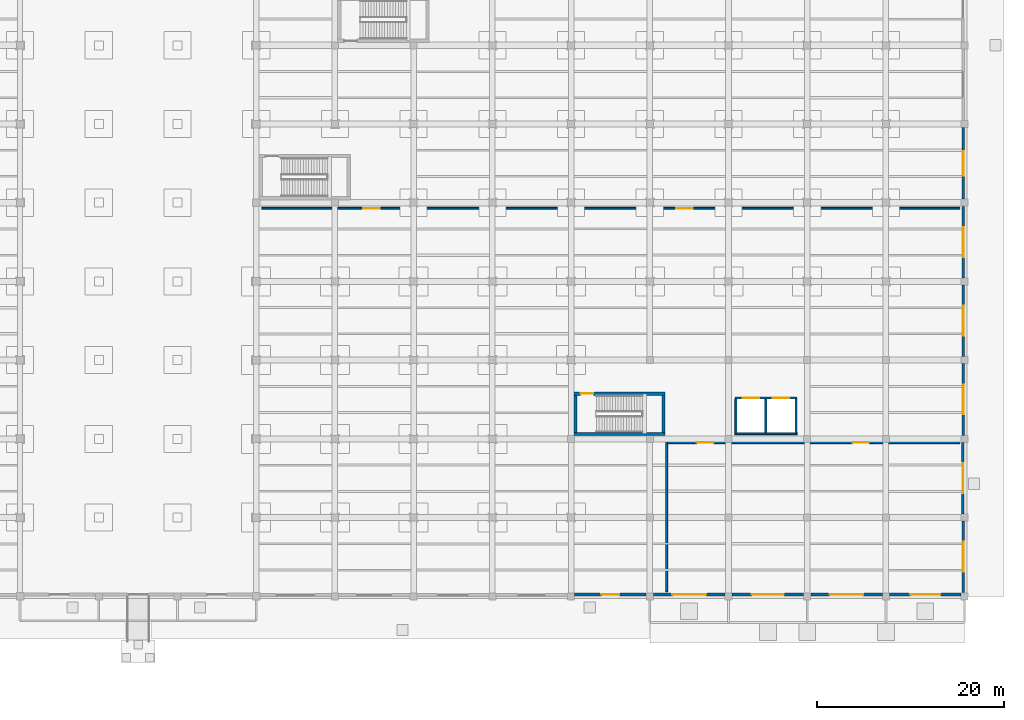
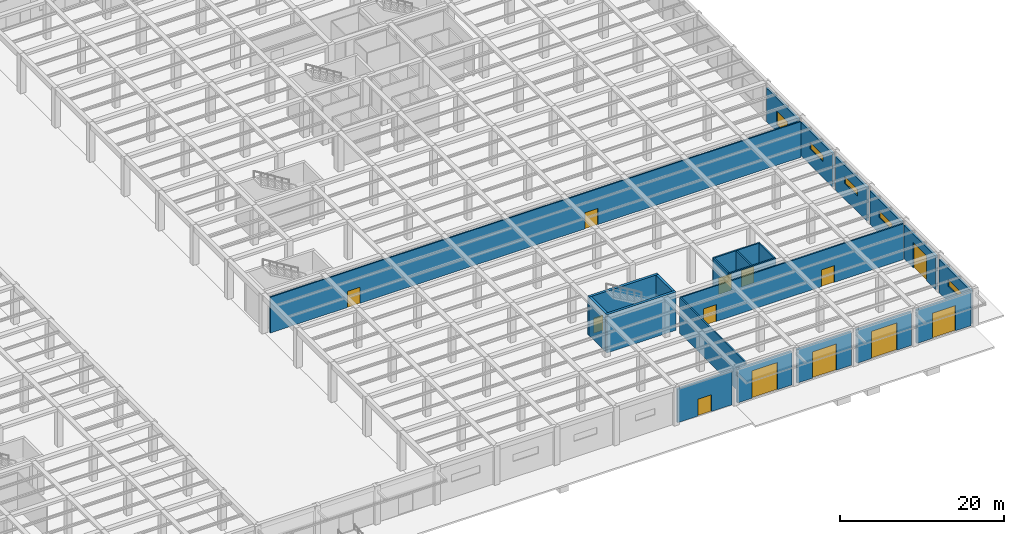
# One storey, part 29 of 43: 23 walls, 13 doors, 5 windows, 18 openings.
"""IFC4 building model written with IfcOpenShell, lengths in metres."""

from ifc_helpers import new_model, si_unit, direction, frame, frame_2d, origin, place, context, subcontext, project, spatial, rectangle, extrude, material, layer, layer_set, type_object, element, fill, save


model = new_model("IFC4")

# Units and contexts
model_context = context("Model", 3, precision=1e-05, world=origin(), true_north=direction((0.0, 1.0)))
body_context = subcontext(model_context, "Body", "Model", "MODEL_VIEW")
ifc_project = project(units=[si_unit("LENGTHUNIT", "METRE"), si_unit("AREAUNIT", "SQUARE_METRE"), si_unit("VOLUMEUNIT", "CUBIC_METRE"), si_unit("PLANEANGLEUNIT", "RADIAN"), si_unit("MASSUNIT", "GRAM", prefix="KILO")], contexts=[model_context])

# Site, building, storey
site_placement = place(None, origin())
site = spatial("IfcSite", under=ifc_project, at=site_placement, CompositionType="ELEMENT")
building_placement = place(site_placement, origin())
building = spatial("IfcBuilding", under=site, at=building_placement, Name="Almacenes y Pasaje Nevantli", CompositionType="ELEMENT")
storey_placement = place(building_placement, origin())
storey = spatial("IfcBuildingStorey", under=building, at=storey_placement, Name="L01", CompositionType="ELEMENT", Elevation=0.0)

# Wall, openings, doors
ifc_material_1 = material(Name="Insulated Double-Gypsum Fire Partition", Category="gypsum")
ifc_layer_1 = layer(ifc_material_1, 0.179931640625)
ifc_layer_set_1 = layer_set([ifc_layer_1], Name="Insulated Double-Gypsum Fire Partition")
wall_type_1 = type_object("IfcWallType", Name="WL-COMP-180", PredefinedType="PARTITIONING", material=ifc_layer_set_1)
wall_1_placement = place(storey_placement, frame((93.0, 41.39990234375, 0.0), z_axis=(0.0, 0.0, 1.0), x_axis=(1.0, 0.0, 0.0)))
wall_1 = element("IfcWall", 1, at=wall_1_placement, inside=storey, type_object=wall_type_1, Name="L01 Interior Partition Wall IW-180 #49", PredefinedType="PARTITIONING", context=body_context, shape_type="SweptSolid", body=[
    extrude(rectangle(XDim=74.5, YDim=0.179931640625, at=frame_2d((37.25, 0.0))), origin(), (0.0, 0.0, 1.0), 5.320068359375),
])
opening_1_placement = place(wall_1_placement, frame((10.800048828125, 0.0, 0.0)))
opening_1 = element("IfcOpeningElement", 2, at=opening_1_placement, cuts=wall_1, Name="Opening ID-L01-023", PredefinedType="OPENING", context=body_context, shape_type="SweptSolid", body=[
    extrude(rectangle(XDim=1.800048828125, YDim=2.39990234375, at=frame_2d((0.89990234375, 1.199951171875))), frame((0.0, 0.099853515625, 0.0), z_axis=(0.0, -1.0, 0.0), x_axis=(1.0, 0.0, 0.0)), (0.0, 0.0, 1.0), 0.199951171875),
])
opening_2_placement = place(wall_1_placement, frame((44.199951171875, 0.0, 0.0)))
opening_2 = element("IfcOpeningElement", 3, at=opening_2_placement, cuts=wall_1, Name="Opening ID-L01-024", PredefinedType="OPENING", context=body_context, shape_type="SweptSolid", body=[
    extrude(rectangle(XDim=1.800048828125, YDim=2.39990234375, at=frame_2d((0.89990234375, 1.199951171875))), frame((0.0, 0.099853515625, 0.0), z_axis=(0.0, -1.0, 0.0), x_axis=(1.0, 0.0, 0.0)), (0.0, 0.0, 1.0), 0.199951171875),
])
ifc_material_2 = material(Name="Galvanized Fire-Rated Steel", Category="steel")
door_type_1 = type_object("IfcDoorType", Name="DR-FD60-1800", OperationType="DOUBLE_DOOR_SINGLE_SWING", PredefinedType="DOOR", material=ifc_material_2)
door_1_placement = place(opening_1_placement, origin())
door_1 = element("IfcDoor", 4, at=door_1_placement, inside=storey, type_object=door_type_1, Name="L01 Ground Stockroom to Retail Door 1", OperationType="DOUBLE_DOOR_SINGLE_SWING", OverallHeight=2.39990234375, OverallWidth=1.800048828125, PredefinedType="DOOR", context=body_context, shape_type="SweptSolid", body=[
    extrude(rectangle(XDim=1.800048828125, YDim=2.39990234375, at=frame_2d((0.89990234375, 1.199951171875))), frame((0.0, 0.02490234375, 0.0), z_axis=(0.0, -1.0, 0.0), x_axis=(1.0, 0.0, 0.0)), (0.0, 0.0, 1.0), 0.050048828125),
])
fill(opening_1, door_1)
door_2_placement = place(opening_2_placement, origin())
door_2 = element("IfcDoor", 5, at=door_2_placement, inside=storey, type_object=door_type_1, Name="L01 Ground Stockroom to Retail Door 2", OperationType="DOUBLE_DOOR_SINGLE_SWING", OverallHeight=2.39990234375, OverallWidth=1.800048828125, PredefinedType="DOOR", context=body_context, shape_type="SweptSolid", body=[
    extrude(rectangle(XDim=1.800048828125, YDim=2.39990234375, at=frame_2d((0.89990234375, 1.199951171875))), frame((0.0, 0.02490234375, 0.0), z_axis=(0.0, -1.0, 0.0), x_axis=(1.0, 0.0, 0.0)), (0.0, 0.0, 1.0), 0.050048828125),
])
fill(opening_2, door_2)

ifc_material_3 = material(Name="Fire-Rated Concrete Blockwork", Category="masonry")
ifc_layer_2 = layer(ifc_material_3, 0.199951171875)
ifc_layer_set_2 = layer_set([ifc_layer_2], Name="Fire-Rated Concrete Blockwork")
wall_type_2 = type_object("IfcWallType", Name="WL-COMP-200", PredefinedType="PARTITIONING", material=ifc_layer_set_2)
wall_2_placement = place(storey_placement, frame((136.199951171875, 16.39990234375, 0.0), z_axis=(0.0, 0.0, 1.0), x_axis=(1.0, 0.0, 0.0)))
wall_2 = element("IfcWall", 6, at=wall_2_placement, inside=storey, type_object=wall_type_2, Name="L01 Interior Partition Wall IW-200 #47", PredefinedType="PARTITIONING", context=body_context, shape_type="SweptSolid", body=[
    extrude(rectangle(XDim=31.300048828125, YDim=0.199951171875, at=frame_2d((15.64990234375, 0.0))), origin(), (0.0, 0.0, 1.0), 5.320068359375),
])
opening_3_placement = place(wall_2_placement, frame((3.199951171875, 0.0, 0.0)))
opening_3 = element("IfcOpeningElement", 7, at=opening_3_placement, cuts=wall_2, Name="Opening ID-L01-021", PredefinedType="OPENING", context=body_context, shape_type="SweptSolid", body=[
    extrude(rectangle(XDim=1.800048828125, YDim=2.5, at=frame_2d((0.89990234375, 1.25))), frame((0.0, 0.10986328125, 0.0), z_axis=(0.0, -1.0, 0.0), x_axis=(1.0, 0.0, 0.0)), (0.0, 0.0, 1.0), 0.219970703125),
])
opening_4_placement = place(wall_2_placement, frame((19.800048828125, 0.0, 0.0)))
opening_4 = element("IfcOpeningElement", 8, at=opening_4_placement, cuts=wall_2, Name="Opening ID-L01-022", PredefinedType="OPENING", context=body_context, shape_type="SweptSolid", body=[
    extrude(rectangle(XDim=1.800048828125, YDim=2.5, at=frame_2d((0.89990234375, 1.25))), frame((0.0, 0.10986328125, 0.0), z_axis=(0.0, -1.0, 0.0), x_axis=(1.0, 0.0, 0.0)), (0.0, 0.0, 1.0), 0.219970703125),
])
ifc_material_4 = material(Name="Galvanized Fire-Rated Steel", Category="steel")
door_type_2 = type_object("IfcDoorType", Name="DR-FD90-1800", OperationType="DOUBLE_DOOR_SINGLE_SWING", PredefinedType="DOOR", material=ifc_material_4)
door_3_placement = place(opening_3_placement, origin())
door_3 = element("IfcDoor", 9, at=door_3_placement, inside=storey, type_object=door_type_2, Name="L01 Loading Dock to Goods Marshalling Door 1", OperationType="DOUBLE_DOOR_SINGLE_SWING", OverallHeight=2.5, OverallWidth=1.800048828125, PredefinedType="DOOR", context=body_context, shape_type="SweptSolid", body=[
    extrude(rectangle(XDim=1.800048828125, YDim=2.5, at=frame_2d((0.89990234375, 1.25))), frame((0.0, 0.02490234375, 0.0), z_axis=(0.0, -1.0, 0.0), x_axis=(1.0, 0.0, 0.0)), (0.0, 0.0, 1.0), 0.050048828125),
])
fill(opening_3, door_3)
door_4_placement = place(opening_4_placement, origin())
door_4 = element("IfcDoor", 10, at=door_4_placement, inside=storey, type_object=door_type_2, Name="L01 Loading Dock to Goods Marshalling Door 2", OperationType="DOUBLE_DOOR_SINGLE_SWING", OverallHeight=2.5, OverallWidth=1.800048828125, PredefinedType="DOOR", context=body_context, shape_type="SweptSolid", body=[
    extrude(rectangle(XDim=1.800048828125, YDim=2.5, at=frame_2d((0.89990234375, 1.25))), frame((0.0, 0.02490234375, 0.0), z_axis=(0.0, -1.0, 0.0), x_axis=(1.0, 0.0, 0.0)), (0.0, 0.0, 1.0), 0.050048828125),
])
fill(opening_4, door_4)

# Walls
wall_3_placement = place(storey_placement, frame((136.199951171875, 0.5, 0.0), z_axis=(0.0, 0.0, 1.0), x_axis=(0.0, 1.0, 0.0)))
element("IfcWall", 11, at=wall_3_placement, inside=storey, type_object=wall_type_2, Name="L01 Interior Partition Wall IW-200 #48", PredefinedType="PARTITIONING", context=body_context, shape_type="SweptSolid", body=[
    extrude(rectangle(XDim=15.89990234375, YDim=0.199951171875, at=frame_2d((7.949951171875, 0.0))), origin(), (0.0, 0.0, 1.0), 5.320068359375),
])
ifc_material_5 = material(Name="Concrete C45/55", Category="concrete")
ifc_layer_3 = layer(ifc_material_5, 0.35009765625)
ifc_layer_set_3 = layer_set([ifc_layer_3], Name="Concrete C45/55")
wall_type_3 = type_object("IfcWallType", Name="WL-CORE-350", PredefinedType="SHEAR", material=ifc_layer_set_3)
wall_4_placement = place(storey_placement, frame((126.300048828125, 17.324951171875, 0.0), z_axis=(0.0, 0.0, 1.0), x_axis=(1.0, 0.0, 0.0)))
element("IfcWall", 12, at=wall_4_placement, inside=storey, type_object=wall_type_3, Name="L01 Exit Stair ST-06 South Core Shear Wall", PredefinedType="SHEAR", context=body_context, shape_type="SweptSolid", body=[
    extrude(rectangle(XDim=9.75, YDim=0.35009765625, at=frame_2d((4.875, 0.0))), origin(), (0.0, 0.0, 1.0), 5.699951171875),
])

# Wall, opening, door
wall_5_placement = place(storey_placement, frame((126.300048828125, 21.625, 0.0), z_axis=(0.0, 0.0, 1.0), x_axis=(1.0, 0.0, 0.0)))
wall_5 = element("IfcWall", 13, at=wall_5_placement, inside=storey, type_object=wall_type_3, Name="L01 Exit Stair ST-06 North Core Shear Wall", PredefinedType="SHEAR", context=body_context, shape_type="SweptSolid", body=[
    extrude(rectangle(XDim=9.75, YDim=0.35009765625, at=frame_2d((4.875, 0.0))), origin(), (0.0, 0.0, 1.0), 5.699951171875),
])
opening_5_placement = place(wall_5_placement, frame((0.719970703125, 0.0, 0.0)))
opening_5 = element("IfcOpeningElement", 14, at=opening_5_placement, cuts=wall_5, Name="Opening SD-06-L01", PredefinedType="OPENING", context=body_context, shape_type="SweptSolid", body=[
    extrude(rectangle(XDim=1.35009765625, YDim=2.25, at=frame_2d((0.675048828125, 1.125))), frame((0.0, 0.18505859375, 0.0), z_axis=(0.0, -1.0, 0.0), x_axis=(1.0, 0.0, 0.0)), (0.0, 0.0, 1.0), 0.3701171875),
])
ifc_material_6 = material(Name="Galvanized Fire-Rated Steel", Category="steel")
door_type_3 = type_object("IfcDoorType", Name="DR-STAIR-1350R", OperationType="SINGLE_SWING_RIGHT", PredefinedType="DOOR", material=ifc_material_6)
door_5_placement = place(opening_5_placement, origin())
door_5 = element("IfcDoor", 15, at=door_5_placement, inside=storey, type_object=door_type_3, Name="L01 Smokeproof Exit Stair ST-06 Fire Door", OperationType="SINGLE_SWING_RIGHT", OverallHeight=2.25, OverallWidth=1.35009765625, PredefinedType="DOOR", context=body_context, shape_type="SweptSolid", body=[
    extrude(rectangle(XDim=1.35009765625, YDim=2.25, at=frame_2d((0.675048828125, 1.125))), frame((0.0, 0.02490234375, 0.0), z_axis=(0.0, -1.0, 0.0), x_axis=(1.0, 0.0, 0.0)), (0.0, 0.0, 1.0), 0.050048828125),
])
fill(opening_5, door_5)

# Walls
for number, where, z_axis, x_axis, name in (
    (16, (126.47509765625, 17.5, 0.0), (0.0, 0.0, 1.0), (0.0, 1.0, 0.0), "L01 Exit Stair ST-06 West Core Shear Wall"),
    (17, (135.875, 17.5, 0.0), (0.0, 0.0, 1.0), (0.0, 1.0, 0.0), "L01 Exit Stair ST-06 East Core Shear Wall"),
):
    element("IfcWall", number, at=place(storey_placement, frame(where, z_axis=z_axis, x_axis=x_axis)), inside=storey, type_object=wall_type_3, Name=name, PredefinedType="SHEAR", context=body_context, shape_type="SweptSolid", body=[
        extrude(rectangle(XDim=3.949951171875, YDim=0.35009765625, at=frame_2d((1.97509765625, 0.0))), origin(), (0.0, 0.0, 1.0), 5.699951171875),
    ])

# Wall, opening, door
ifc_material_7 = material(Name="Architectural Precast Concrete C35/45 Plinth Wall", Category="concrete")
ifc_layer_4 = layer(ifc_material_7, 0.31005859375)
ifc_layer_set_4 = layer_set([ifc_layer_4], Name="Architectural Precast Concrete C35/45 Plinth Wall")
wall_type_4 = type_object("IfcWallType", Name="WL-EXT-RECINTO-310", PredefinedType="SOLIDWALL", material=ifc_layer_set_4)
wall_6_placement = place(storey_placement, frame((126.3779296875, 0.199951171875, 0.0), z_axis=(0.0, 0.0, 1.0), x_axis=(1.0, 0.0, 0.0)))
wall_6 = element("IfcWall", 18, at=wall_6_placement, inside=storey, type_object=wall_type_4, Name="L01 South Boulevard Service Exit Wall Bay 16", PredefinedType="SOLIDWALL", context=body_context, shape_type="SweptSolid", body=[
    extrude(rectangle(XDim=7.64404296875, YDim=0.31005859375, at=frame_2d((3.822021484375, 0.0))), origin(), (0.0, 0.0, 1.0), 4.97998046875),
])
opening_6_placement = place(wall_6_placement, frame((2.862060546875, 0.0, 0.0)))
opening_6 = element("IfcOpeningElement", 19, at=opening_6_placement, cuts=wall_6, Name="Opening ED-L01-025", PredefinedType="OPENING", context=body_context, shape_type="SweptSolid", body=[
    extrude(rectangle(XDim=1.919921875, YDim=2.5, at=frame_2d((0.9599609375, 1.25))), frame((0.0, 0.1650390625, 0.0), z_axis=(0.0, -1.0, 0.0), x_axis=(1.0, 0.0, 0.0)), (0.0, 0.0, 1.0), 0.330078125),
])
ifc_material_8 = material(Name="Anodized Aluminium and Safety Glass", Category="aluminium")
door_type_4 = type_object("IfcDoorType", Name="DR-EXT-DBL-1920", OperationType="DOUBLE_DOOR_SINGLE_SWING", PredefinedType="DOOR", material=ifc_material_8)
door_6_placement = place(opening_6_placement, origin())
door_6 = element("IfcDoor", 20, at=door_6_placement, inside=storey, type_object=door_type_4, Name="L01 South Pedestrian Exit Door Bay 16", OperationType="DOUBLE_DOOR_SINGLE_SWING", OverallHeight=2.5, OverallWidth=1.919921875, PredefinedType="DOOR", context=body_context, shape_type="SweptSolid", body=[
    extrude(rectangle(XDim=1.919921875, YDim=2.5, at=frame_2d((0.9599609375, 1.25))), frame((0.0, 0.02490234375, 0.0), z_axis=(0.0, -1.0, 0.0), x_axis=(1.0, 0.0, 0.0)), (0.0, 0.0, 1.0), 0.050048828125),
])
fill(opening_6, door_6)

wall_7_placement = place(storey_placement, frame((134.778076171875, 0.199951171875, 0.0), z_axis=(0.0, 0.0, 1.0), x_axis=(1.0, 0.0, 0.0)))
wall_7 = element("IfcWall", 21, at=wall_7_placement, inside=storey, type_object=wall_type_4, Name="L01 Loading Dock South Truck Bay Wall #1", PredefinedType="SOLIDWALL", context=body_context, shape_type="SweptSolid", body=[
    extrude(rectangle(XDim=7.64404296875, YDim=0.31005859375, at=frame_2d((3.822021484375, 0.0))), origin(), (0.0, 0.0, 1.0), 4.97998046875),
])
opening_7_placement = place(wall_7_placement, frame((2.02197265625, 0.0, 0.0)))
opening_7 = element("IfcOpeningElement", 22, at=opening_7_placement, cuts=wall_7, Name="Opening GD-L01-001", PredefinedType="OPENING", context=body_context, shape_type="SweptSolid", body=[
    extrude(rectangle(XDim=3.60009765625, YDim=4.050048828125, at=frame_2d((1.800048828125, 2.02490234375))), frame((0.0, 0.1650390625, 0.0), z_axis=(0.0, -1.0, 0.0), x_axis=(1.0, 0.0, 0.0)), (0.0, 0.0, 1.0), 0.330078125),
])
ifc_material_9 = material(Name="Galvanized Insulated Steel", Category="steel")
door_type_5 = type_object("IfcDoorType", Name="DR-GATE-3600", OperationType="ROLLINGUP", PredefinedType="GATE", material=ifc_material_9)
door_7_placement = place(opening_7_placement, origin())
door_7 = element("IfcDoor", 23, at=door_7_placement, inside=storey, type_object=door_type_5, Name="Loading Dock Insulated Roller Shutter GD-L01-001", OperationType="ROLLINGUP", OverallHeight=4.050048828125, OverallWidth=3.60009765625, PredefinedType="GATE", context=body_context, shape_type="SweptSolid", body=[
    extrude(rectangle(XDim=3.60009765625, YDim=4.050048828125, at=frame_2d((1.800048828125, 2.02490234375))), frame((0.0, 0.02490234375, 0.0), z_axis=(0.0, -1.0, 0.0), x_axis=(1.0, 0.0, 0.0)), (0.0, 0.0, 1.0), 0.050048828125),
])
fill(opening_7, door_7)

wall_8_placement = place(storey_placement, frame((143.177978515625, 0.199951171875, 0.0), z_axis=(0.0, 0.0, 1.0), x_axis=(1.0, 0.0, 0.0)))
wall_8 = element("IfcWall", 24, at=wall_8_placement, inside=storey, type_object=wall_type_4, Name="L01 Loading Dock South Truck Bay Wall #2", PredefinedType="SOLIDWALL", context=body_context, shape_type="SweptSolid", body=[
    extrude(rectangle(XDim=7.64404296875, YDim=0.31005859375, at=frame_2d((3.822021484375, 0.0))), origin(), (0.0, 0.0, 1.0), 4.97998046875),
])
opening_8_placement = place(wall_8_placement, frame((2.1220703125, 0.0, 0.0)))
opening_8 = element("IfcOpeningElement", 25, at=opening_8_placement, cuts=wall_8, Name="Opening GD-L01-002", PredefinedType="OPENING", context=body_context, shape_type="SweptSolid", body=[
    extrude(rectangle(XDim=3.39990234375, YDim=3.89990234375, at=frame_2d((1.699951171875, 1.949951171875))), frame((0.0, 0.1650390625, 0.0), z_axis=(0.0, -1.0, 0.0), x_axis=(1.0, 0.0, 0.0)), (0.0, 0.0, 1.0), 0.330078125),
])
ifc_material_10 = material(Name="Galvanized Insulated Steel", Category="steel")
door_type_6 = type_object("IfcDoorType", Name="DR-GATE-3400", OperationType="ROLLINGUP", PredefinedType="GATE", material=ifc_material_10)
door_8_placement = place(opening_8_placement, origin())
door_8 = element("IfcDoor", 26, at=door_8_placement, inside=storey, type_object=door_type_6, Name="Loading Dock Insulated Roller Shutter GD-L01-002", OperationType="ROLLINGUP", OverallHeight=3.89990234375, OverallWidth=3.39990234375, PredefinedType="GATE", context=body_context, shape_type="SweptSolid", body=[
    extrude(rectangle(XDim=3.39990234375, YDim=3.89990234375, at=frame_2d((1.699951171875, 1.949951171875))), frame((0.0, 0.02490234375, 0.0), z_axis=(0.0, -1.0, 0.0), x_axis=(1.0, 0.0, 0.0)), (0.0, 0.0, 1.0), 0.050048828125),
])
fill(opening_8, door_8)

wall_9_placement = place(storey_placement, frame((151.577880859375, 0.199951171875, 0.0), z_axis=(0.0, 0.0, 1.0), x_axis=(1.0, 0.0, 0.0)))
wall_9 = element("IfcWall", 27, at=wall_9_placement, inside=storey, type_object=wall_type_4, Name="L01 Loading Dock South Truck Bay Wall #3", PredefinedType="SOLIDWALL", context=body_context, shape_type="SweptSolid", body=[
    extrude(rectangle(XDim=7.64404296875, YDim=0.31005859375, at=frame_2d((3.822021484375, 0.0))), origin(), (0.0, 0.0, 1.0), 4.97998046875),
])
opening_9_placement = place(wall_9_placement, frame((2.02197265625, 0.0, 0.0)))
opening_9 = element("IfcOpeningElement", 28, at=opening_9_placement, cuts=wall_9, Name="Opening GD-L01-003", PredefinedType="OPENING", context=body_context, shape_type="SweptSolid", body=[
    extrude(rectangle(XDim=3.60009765625, YDim=4.050048828125, at=frame_2d((1.800048828125, 2.02490234375))), frame((0.0, 0.1650390625, 0.0), z_axis=(0.0, -1.0, 0.0), x_axis=(1.0, 0.0, 0.0)), (0.0, 0.0, 1.0), 0.330078125),
])
door_9_placement = place(opening_9_placement, origin())
door_9 = element("IfcDoor", 29, at=door_9_placement, inside=storey, type_object=door_type_5, Name="Loading Dock Insulated Roller Shutter GD-L01-003", OperationType="ROLLINGUP", OverallHeight=4.050048828125, OverallWidth=3.60009765625, PredefinedType="GATE", context=body_context, shape_type="SweptSolid", body=[
    extrude(rectangle(XDim=3.60009765625, YDim=4.050048828125, at=frame_2d((1.800048828125, 2.02490234375))), frame((0.0, 0.02490234375, 0.0), z_axis=(0.0, -1.0, 0.0), x_axis=(1.0, 0.0, 0.0)), (0.0, 0.0, 1.0), 0.050048828125),
])
fill(opening_9, door_9)

wall_10_placement = place(storey_placement, frame((159.97802734375, 0.199951171875, 0.0), z_axis=(0.0, 0.0, 1.0), x_axis=(1.0, 0.0, 0.0)))
wall_10 = element("IfcWall", 30, at=wall_10_placement, inside=storey, type_object=wall_type_4, Name="L01 Loading Dock South Truck Bay Wall #4", PredefinedType="SOLIDWALL", context=body_context, shape_type="SweptSolid", body=[
    extrude(rectangle(XDim=7.64404296875, YDim=0.31005859375, at=frame_2d((3.822021484375, 0.0))), origin(), (0.0, 0.0, 1.0), 4.97998046875),
])
opening_10_placement = place(wall_10_placement, frame((2.221923828125, 0.0, 0.0)))
opening_10 = element("IfcOpeningElement", 31, at=opening_10_placement, cuts=wall_10, Name="Opening GD-L01-004", PredefinedType="OPENING", context=body_context, shape_type="SweptSolid", body=[
    extrude(rectangle(XDim=3.199951171875, YDim=3.75, at=frame_2d((1.60009765625, 1.875))), frame((0.0, 0.1650390625, 0.0), z_axis=(0.0, -1.0, 0.0), x_axis=(1.0, 0.0, 0.0)), (0.0, 0.0, 1.0), 0.330078125),
])
ifc_material_11 = material(Name="Galvanized Insulated Steel", Category="steel")
door_type_7 = type_object("IfcDoorType", Name="DR-GATE-3200", OperationType="ROLLINGUP", PredefinedType="GATE", material=ifc_material_11)
door_10_placement = place(opening_10_placement, origin())
door_10 = element("IfcDoor", 32, at=door_10_placement, inside=storey, type_object=door_type_7, Name="Loading Dock Insulated Roller Shutter GD-L01-004", OperationType="ROLLINGUP", OverallHeight=3.75, OverallWidth=3.199951171875, PredefinedType="GATE", context=body_context, shape_type="SweptSolid", body=[
    extrude(rectangle(XDim=3.199951171875, YDim=3.75, at=frame_2d((1.60009765625, 1.875))), frame((0.0, 0.02490234375, 0.0), z_axis=(0.0, -1.0, 0.0), x_axis=(1.0, 0.0, 0.0)), (0.0, 0.0, 1.0), 0.050048828125),
])
fill(opening_10, door_10)

# Wall, opening, window
wall_11_placement = place(storey_placement, frame((167.85009765625, 0.3779296875, 0.0), z_axis=(0.0, 0.0, 1.0), x_axis=(0.0, 1.0, 0.0)))
wall_11 = element("IfcWall", 33, at=wall_11_placement, inside=storey, type_object=wall_type_4, Name="L01 East Facade Wall Bay 1", PredefinedType="SOLIDWALL", context=body_context, shape_type="SweptSolid", body=[
    extrude(rectangle(XDim=7.64404296875, YDim=0.31005859375, at=frame_2d((3.822021484375, 0.0))), origin(), (0.0, 0.0, 1.0), 4.97998046875),
])
opening_11_placement = place(wall_11_placement, frame((2.221923828125, 0.0, 2.35009765625)))
opening_11 = element("IfcOpeningElement", 34, at=opening_11_placement, cuts=wall_11, Name="Opening WT-23-033", PredefinedType="OPENING", context=body_context, shape_type="SweptSolid", body=[
    extrude(rectangle(XDim=3.199951171875, YDim=1.0, at=frame_2d((1.60009765625, 0.5))), frame((0.0, 0.1650390625, 0.0), z_axis=(0.0, -1.0, 0.0), x_axis=(1.0, 0.0, 0.0)), (0.0, 0.0, 1.0), 0.330078125),
])
ifc_material_12 = material(Name="Thermally Broken Aluminium and Low-E Double Glazing", Category="aluminium")
window_type_1 = type_object("IfcWindowType", Name="WN-CLR-3200x1000", PartitioningType="SINGLE_PANEL", PredefinedType="WINDOW", material=ifc_material_12)
window_1_placement = place(opening_11_placement, origin())
window_1 = element("IfcWindow", 35, at=window_1_placement, inside=storey, type_object=window_type_1, Name="L01 Exterior Window WT-23 #33", OverallHeight=1.0, OverallWidth=3.199951171875, PartitioningType="SINGLE_PANEL", PredefinedType="WINDOW", context=body_context, shape_type="SweptSolid", body=[
    extrude(rectangle(XDim=3.199951171875, YDim=1.0, at=frame_2d((1.60009765625, 0.5))), frame((0.0, 0.030029296875, 0.0), z_axis=(0.0, -1.0, 0.0), x_axis=(1.0, 0.0, 0.0)), (0.0, 0.0, 1.0), 0.06005859375),
])
fill(opening_11, window_1)

# Wall, opening, door
wall_12_placement = place(storey_placement, frame((167.800048828125, 8.778076171875, 0.0), z_axis=(0.0, 0.0, 1.0), x_axis=(0.0, 1.0, 0.0)))
wall_12 = element("IfcWall", 36, at=wall_12_placement, inside=storey, type_object=wall_type_4, Name="L01 East Loading Yard Service Gate Wall", PredefinedType="SOLIDWALL", context=body_context, shape_type="SweptSolid", body=[
    extrude(rectangle(XDim=7.64404296875, YDim=0.31005859375, at=frame_2d((3.822021484375, 0.0))), origin(), (0.0, 0.0, 1.0), 4.97998046875),
])
opening_12_placement = place(wall_12_placement, frame((2.221923828125, 0.0, 0.0)))
opening_12 = element("IfcOpeningElement", 37, at=opening_12_placement, cuts=wall_12, Name="Opening GD-L01-006", PredefinedType="OPENING", context=body_context, shape_type="SweptSolid", body=[
    extrude(rectangle(XDim=3.199951171875, YDim=3.75, at=frame_2d((1.60009765625, 1.875))), frame((0.0, 0.1650390625, 0.0), z_axis=(0.0, -1.0, 0.0), x_axis=(1.0, 0.0, 0.0)), (0.0, 0.0, 1.0), 0.330078125),
])
door_11_placement = place(opening_12_placement, origin())
door_11 = element("IfcDoor", 38, at=door_11_placement, inside=storey, type_object=door_type_7, Name="L01 East Service Yard Roller Gate GD-L01-006", OperationType="ROLLINGUP", OverallHeight=3.75, OverallWidth=3.199951171875, PredefinedType="GATE", context=body_context, shape_type="SweptSolid", body=[
    extrude(rectangle(XDim=3.199951171875, YDim=3.75, at=frame_2d((1.60009765625, 1.875))), frame((0.0, 0.02490234375, 0.0), z_axis=(0.0, -1.0, 0.0), x_axis=(1.0, 0.0, 0.0)), (0.0, 0.0, 1.0), 0.050048828125),
])
fill(opening_12, door_11)

# Wall, opening, window
wall_13_placement = place(storey_placement, frame((167.85009765625, 17.177978515625, 0.0), z_axis=(0.0, 0.0, 1.0), x_axis=(0.0, 1.0, 0.0)))
wall_13 = element("IfcWall", 39, at=wall_13_placement, inside=storey, type_object=wall_type_4, Name="L01 East Facade Wall Bay 3", PredefinedType="SOLIDWALL", context=body_context, shape_type="SweptSolid", body=[
    extrude(rectangle(XDim=7.64404296875, YDim=0.31005859375, at=frame_2d((3.822021484375, 0.0))), origin(), (0.0, 0.0, 1.0), 4.97998046875),
])
opening_13_placement = place(wall_13_placement, frame((2.221923828125, 0.0, 2.35009765625)))
opening_13 = element("IfcOpeningElement", 40, at=opening_13_placement, cuts=wall_13, Name="Opening WT-23-034", PredefinedType="OPENING", context=body_context, shape_type="SweptSolid", body=[
    extrude(rectangle(XDim=3.199951171875, YDim=1.0, at=frame_2d((1.60009765625, 0.5))), frame((0.0, 0.1650390625, 0.0), z_axis=(0.0, -1.0, 0.0), x_axis=(1.0, 0.0, 0.0)), (0.0, 0.0, 1.0), 0.330078125),
])
window_2_placement = place(opening_13_placement, origin())
window_2 = element("IfcWindow", 41, at=window_2_placement, inside=storey, type_object=window_type_1, Name="L01 Exterior Window WT-23 #34", OverallHeight=1.0, OverallWidth=3.199951171875, PartitioningType="SINGLE_PANEL", PredefinedType="WINDOW", context=body_context, shape_type="SweptSolid", body=[
    extrude(rectangle(XDim=3.199951171875, YDim=1.0, at=frame_2d((1.60009765625, 0.5))), frame((0.0, 0.030029296875, 0.0), z_axis=(0.0, -1.0, 0.0), x_axis=(1.0, 0.0, 0.0)), (0.0, 0.0, 1.0), 0.06005859375),
])
fill(opening_13, window_2)

wall_14_placement = place(storey_placement, frame((167.85009765625, 25.577880859375, 0.0), z_axis=(0.0, 0.0, 1.0), x_axis=(0.0, 1.0, 0.0)))
wall_14 = element("IfcWall", 42, at=wall_14_placement, inside=storey, type_object=wall_type_4, Name="L01 East Facade Wall Bay 4", PredefinedType="SOLIDWALL", context=body_context, shape_type="SweptSolid", body=[
    extrude(rectangle(XDim=7.64404296875, YDim=0.31005859375, at=frame_2d((3.822021484375, 0.0))), origin(), (0.0, 0.0, 1.0), 4.97998046875),
])
opening_14_placement = place(wall_14_placement, frame((2.221923828125, 0.0, 2.35009765625)))
opening_14 = element("IfcOpeningElement", 43, at=opening_14_placement, cuts=wall_14, Name="Opening WT-23-035", PredefinedType="OPENING", context=body_context, shape_type="SweptSolid", body=[
    extrude(rectangle(XDim=3.199951171875, YDim=1.0, at=frame_2d((1.60009765625, 0.5))), frame((0.0, 0.1650390625, 0.0), z_axis=(0.0, -1.0, 0.0), x_axis=(1.0, 0.0, 0.0)), (0.0, 0.0, 1.0), 0.330078125),
])
window_3_placement = place(opening_14_placement, origin())
window_3 = element("IfcWindow", 44, at=window_3_placement, inside=storey, type_object=window_type_1, Name="L01 Exterior Window WT-23 #35", OverallHeight=1.0, OverallWidth=3.199951171875, PartitioningType="SINGLE_PANEL", PredefinedType="WINDOW", context=body_context, shape_type="SweptSolid", body=[
    extrude(rectangle(XDim=3.199951171875, YDim=1.0, at=frame_2d((1.60009765625, 0.5))), frame((0.0, 0.030029296875, 0.0), z_axis=(0.0, -1.0, 0.0), x_axis=(1.0, 0.0, 0.0)), (0.0, 0.0, 1.0), 0.06005859375),
])
fill(opening_14, window_3)

wall_15_placement = place(storey_placement, frame((167.85009765625, 33.97802734375, 0.0), z_axis=(0.0, 0.0, 1.0), x_axis=(0.0, 1.0, 0.0)))
wall_15 = element("IfcWall", 45, at=wall_15_placement, inside=storey, type_object=wall_type_4, Name="L01 East Facade Wall Bay 5", PredefinedType="SOLIDWALL", context=body_context, shape_type="SweptSolid", body=[
    extrude(rectangle(XDim=7.64404296875, YDim=0.31005859375, at=frame_2d((3.822021484375, 0.0))), origin(), (0.0, 0.0, 1.0), 4.97998046875),
])
opening_15_placement = place(wall_15_placement, frame((2.221923828125, 0.0, 2.35009765625)))
opening_15 = element("IfcOpeningElement", 46, at=opening_15_placement, cuts=wall_15, Name="Opening WT-23-036", PredefinedType="OPENING", context=body_context, shape_type="SweptSolid", body=[
    extrude(rectangle(XDim=3.199951171875, YDim=1.0, at=frame_2d((1.60009765625, 0.5))), frame((0.0, 0.1650390625, 0.0), z_axis=(0.0, -1.0, 0.0), x_axis=(1.0, 0.0, 0.0)), (0.0, 0.0, 1.0), 0.330078125),
])
window_4_placement = place(opening_15_placement, origin())
window_4 = element("IfcWindow", 47, at=window_4_placement, inside=storey, type_object=window_type_1, Name="L01 Exterior Window WT-23 #36", OverallHeight=1.0, OverallWidth=3.199951171875, PartitioningType="SINGLE_PANEL", PredefinedType="WINDOW", context=body_context, shape_type="SweptSolid", body=[
    extrude(rectangle(XDim=3.199951171875, YDim=1.0, at=frame_2d((1.60009765625, 0.5))), frame((0.0, 0.030029296875, 0.0), z_axis=(0.0, -1.0, 0.0), x_axis=(1.0, 0.0, 0.0)), (0.0, 0.0, 1.0), 0.06005859375),
])
fill(opening_15, window_4)

wall_16_placement = place(storey_placement, frame((167.85009765625, 42.3779296875, 0.0), z_axis=(0.0, 0.0, 1.0), x_axis=(0.0, 1.0, 0.0)))
wall_16 = element("IfcWall", 48, at=wall_16_placement, inside=storey, type_object=wall_type_4, Name="L01 East Facade Wall Bay 6", PredefinedType="SOLIDWALL", context=body_context, shape_type="SweptSolid", body=[
    extrude(rectangle(XDim=7.64404296875, YDim=0.31005859375, at=frame_2d((3.822021484375, 0.0))), origin(), (0.0, 0.0, 1.0), 4.97998046875),
])
opening_16_placement = place(wall_16_placement, frame((2.52197265625, 0.0, 1.0)))
opening_16 = element("IfcOpeningElement", 49, at=opening_16_placement, cuts=wall_16, Name="Opening WT-13-037", PredefinedType="OPENING", context=body_context, shape_type="SweptSolid", body=[
    extrude(rectangle(XDim=2.60009765625, YDim=2.10009765625, at=frame_2d((1.300048828125, 1.050048828125))), frame((0.0, 0.1650390625, 0.0), z_axis=(0.0, -1.0, 0.0), x_axis=(1.0, 0.0, 0.0)), (0.0, 0.0, 1.0), 0.330078125),
])
ifc_material_13 = material(Name="Thermally Broken Aluminium and Low-E Double Glazing", Category="aluminium")
window_type_2 = type_object("IfcWindowType", Name="WN-POD-2600x2100", PartitioningType="SINGLE_PANEL", PredefinedType="WINDOW", material=ifc_material_13)
window_5_placement = place(opening_16_placement, origin())
window_5 = element("IfcWindow", 50, at=window_5_placement, inside=storey, type_object=window_type_2, Name="L01 Exterior Window WT-13 #37", OverallHeight=2.10009765625, OverallWidth=2.60009765625, PartitioningType="SINGLE_PANEL", PredefinedType="WINDOW", context=body_context, shape_type="SweptSolid", body=[
    extrude(rectangle(XDim=2.60009765625, YDim=2.10009765625, at=frame_2d((1.300048828125, 1.050048828125))), frame((0.0, 0.030029296875, 0.0), z_axis=(0.0, -1.0, 0.0), x_axis=(1.0, 0.0, 0.0)), (0.0, 0.0, 1.0), 0.06005859375),
])
fill(opening_16, window_5)

# Wall
ifc_material_14 = material(Name="Concrete C45/55", Category="concrete")
ifc_layer_5 = layer(ifc_material_14, 0.2099609375)
ifc_layer_set_5 = layer_set([ifc_layer_5], Name="Concrete C45/55")
wall_type_5 = type_object("IfcWallType", Name="WL-SHAFT-210", PredefinedType="SHEAR", material=ifc_layer_set_5)
wall_17_placement = place(storey_placement, frame((143.489990234375, 17.344970703125, 0.0), z_axis=(0.0, 0.0, 1.0), x_axis=(1.0, 0.0, 0.0)))
element("IfcWall", 51, at=wall_17_placement, inside=storey, type_object=wall_type_5, Name="L01 Lift Hoistway ELV-G01-ELV-G02 South Wall", PredefinedType="SHEAR", context=body_context, shape_type="SweptSolid", body=[
    extrude(rectangle(XDim=6.6201171875, YDim=0.2099609375, at=frame_2d((3.31005859375, 0.0))), origin(), (0.0, 0.0, 1.0), 5.699951171875),
])

# Wall, openings, doors
wall_18_placement = place(storey_placement, frame((143.489990234375, 21.155029296875, 0.0), z_axis=(0.0, 0.0, 1.0), x_axis=(1.0, 0.0, 0.0)))
wall_18 = element("IfcWall", 52, at=wall_18_placement, inside=storey, type_object=wall_type_5, Name="L01 Lift Hoistway ELV-G01-ELV-G02 North Wall", PredefinedType="SHEAR", context=body_context, shape_type="SweptSolid", body=[
    extrude(rectangle(XDim=6.6201171875, YDim=0.2099609375, at=frame_2d((3.31005859375, 0.0))), origin(), (0.0, 0.0, 1.0), 5.699951171875),
])
opening_17_placement = place(wall_18_placement, frame((0.81005859375, 0.0, 0.0)))
opening_17 = element("IfcOpeningElement", 53, at=opening_17_placement, cuts=wall_18, Name="Opening LD-G01-L01", PredefinedType="OPENING", context=body_context, shape_type="SweptSolid", body=[
    extrude(rectangle(XDim=1.800048828125, YDim=2.449951171875, at=frame_2d((0.89990234375, 1.22509765625))), frame((0.0, 0.114990234375, 0.0), z_axis=(0.0, -1.0, 0.0), x_axis=(1.0, 0.0, 0.0)), (0.0, 0.0, 1.0), 0.22998046875),
])
opening_18_placement = place(wall_18_placement, frame((4.010009765625, 0.0, 0.0)))
opening_18 = element("IfcOpeningElement", 54, at=opening_18_placement, cuts=wall_18, Name="Opening LD-G02-L01", PredefinedType="OPENING", context=body_context, shape_type="SweptSolid", body=[
    extrude(rectangle(XDim=1.800048828125, YDim=2.449951171875, at=frame_2d((0.89990234375, 1.22509765625))), frame((0.0, 0.114990234375, 0.0), z_axis=(0.0, -1.0, 0.0), x_axis=(1.0, 0.0, 0.0)), (0.0, 0.0, 1.0), 0.22998046875),
])
ifc_material_15 = material(Name="Heavy-Duty Stainless Steel", Category="steel")
door_type_8 = type_object("IfcDoorType", Name="DR-LD-GOODS-1800", OperationType="DOUBLE_DOOR_SLIDING", PredefinedType="DOOR", material=ifc_material_15)
door_12_placement = place(opening_17_placement, origin())
door_12 = element("IfcDoor", 55, at=door_12_placement, inside=storey, type_object=door_type_8, Name="Lift Landing Door ELV-G01 L01", OperationType="DOUBLE_DOOR_SLIDING", OverallHeight=2.449951171875, OverallWidth=1.800048828125, PredefinedType="DOOR", context=body_context, shape_type="SweptSolid", body=[
    extrude(rectangle(XDim=1.800048828125, YDim=2.449951171875, at=frame_2d((0.89990234375, 1.22509765625))), frame((0.0, 0.02490234375, 0.0), z_axis=(0.0, -1.0, 0.0), x_axis=(1.0, 0.0, 0.0)), (0.0, 0.0, 1.0), 0.050048828125),
])
fill(opening_17, door_12)
door_13_placement = place(opening_18_placement, origin())
door_13 = element("IfcDoor", 56, at=door_13_placement, inside=storey, type_object=door_type_8, Name="Lift Landing Door ELV-G02 L01", OperationType="DOUBLE_DOOR_SLIDING", OverallHeight=2.449951171875, OverallWidth=1.800048828125, PredefinedType="DOOR", context=body_context, shape_type="SweptSolid", body=[
    extrude(rectangle(XDim=1.800048828125, YDim=2.449951171875, at=frame_2d((0.89990234375, 1.22509765625))), frame((0.0, 0.02490234375, 0.0), z_axis=(0.0, -1.0, 0.0), x_axis=(1.0, 0.0, 0.0)), (0.0, 0.0, 1.0), 0.050048828125),
])
fill(opening_18, door_13)

# Walls
for number, where, z_axis, x_axis, name in (
    (57, (143.594970703125, 17.449951171875, 0.0), (0.0, 0.0, 1.0), (0.0, 1.0, 0.0), "L01 Lift Hoistway ELV-G01 West Wall"),
    (58, (150.0048828125, 17.449951171875, 0.0), (0.0, 0.0, 1.0), (0.0, 1.0, 0.0), "L01 Lift Hoistway ELV-G02 East Wall"),
    (59, (146.800048828125, 17.449951171875, 0.0), (0.0, 0.0, 1.0), (0.0, 1.0, 0.0), "L01 Lift Hoistway Divider Wall ELV-G01/ELV-G02"),
):
    element("IfcWall", number, at=place(storey_placement, frame(where, z_axis=z_axis, x_axis=x_axis)), inside=storey, type_object=wall_type_5, Name=name, PredefinedType="SHEAR", context=body_context, shape_type="SweptSolid", body=[
        extrude(rectangle(XDim=3.60009765625, YDim=0.2099609375, at=frame_2d((1.800048828125, 0.0))), origin(), (0.0, 0.0, 1.0), 5.699951171875),
    ])

save(model, "model.ifc")
